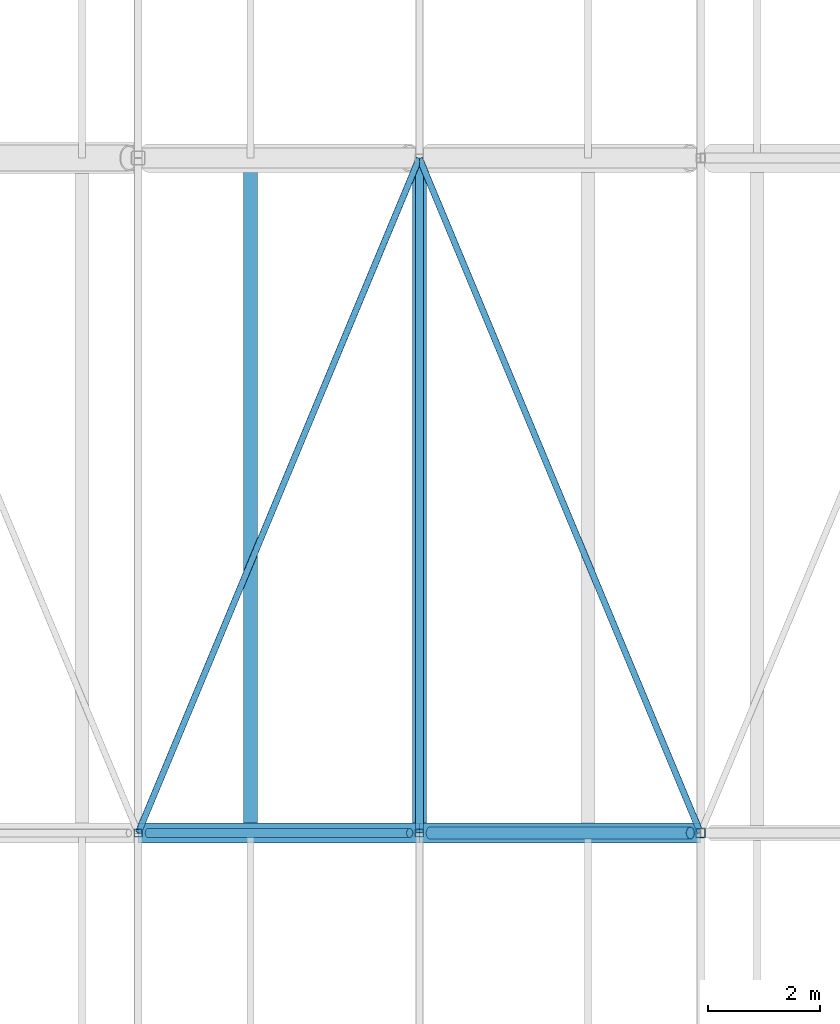
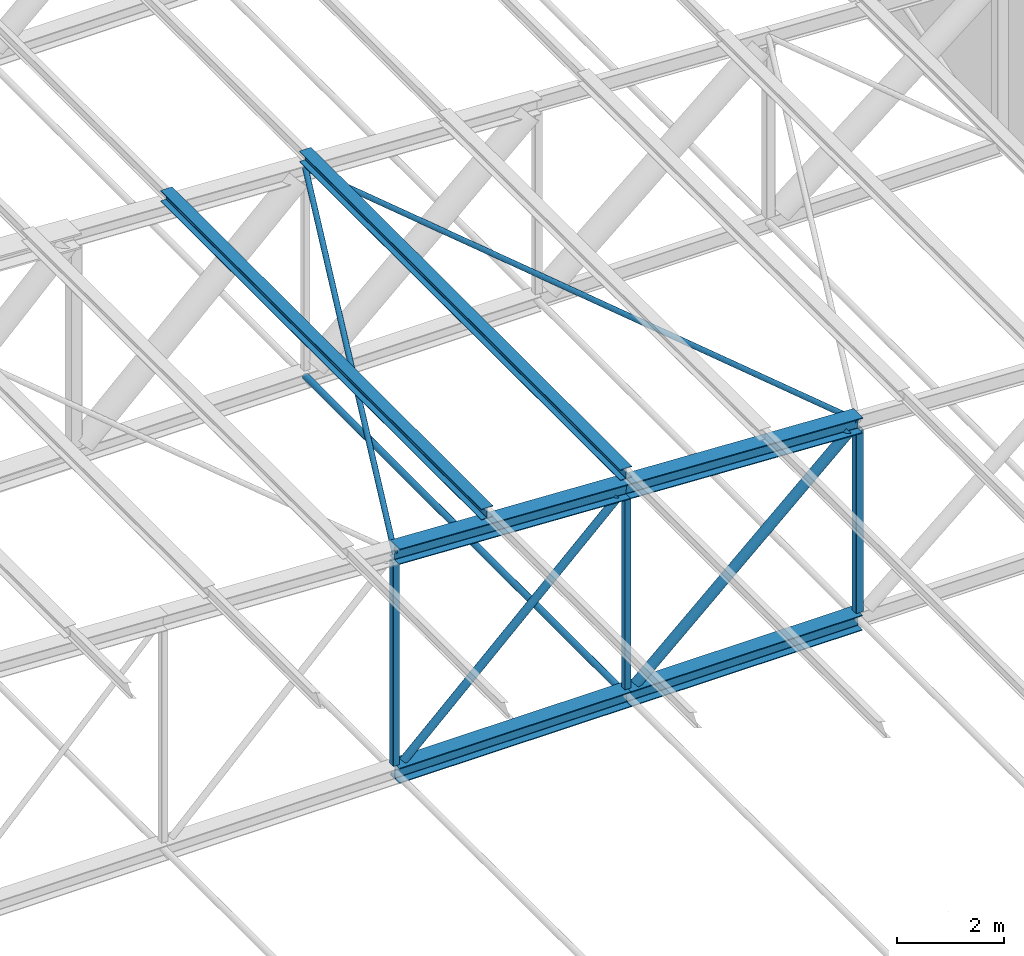
# One storey, part 82 of 156: 14 members.
"""IFC4 building model written with IfcOpenShell, lengths in metres."""

from ifc_helpers import new_model, si_unit, direction, frame, origin, origin_2d, place, context, subcontext, project, spatial, hollow_rectangle, hollow_circle, i_section, extrude, material, material_profile, profile_set, type_object, element, save


model = new_model("IFC4")

# Units and contexts
model_context = context("Model", 3, precision=1e-05, world=origin(), true_north=direction((0.0, 1.0)))
body_context = subcontext(model_context, "Body", "Model", "MODEL_VIEW")
ifc_project = project(units=[si_unit("LENGTHUNIT", "METRE"), si_unit("AREAUNIT", "SQUARE_METRE"), si_unit("VOLUMEUNIT", "CUBIC_METRE"), si_unit("PLANEANGLEUNIT", "RADIAN"), si_unit("MASSUNIT", "GRAM", prefix="KILO")], contexts=[model_context])

# Site, building, storey
site_placement = place(None, origin())
site = spatial("IfcSite", under=ifc_project, at=site_placement, CompositionType="ELEMENT")
building_placement = place(site_placement, origin())
building = spatial("IfcBuilding", under=site, at=building_placement, Name="Lilac Gate Convention Centre", CompositionType="ELEMENT")
storey_placement = place(building_placement, frame((0.0, 0.0, 17.0)))
storey = spatial("IfcBuildingStorey", under=building, at=storey_placement, Name="L03", CompositionType="ELEMENT", Elevation=17.0)

# Members
ifc_material = material(Name="Steel Q355B", Category="steel")
ifc_material_profile_1 = material_profile(ifc_material, hollow_circle(Radius=0.06982421875, WallThickness=0.0048828125, at=origin_2d()), Name="CHS139.7x5")
ifc_profile_set_1 = profile_set([ifc_material_profile_1], Name="Steel Q355B")
member_type_1 = type_object("IfcMemberType", Name="Bottom chord tie CHS139.7x5", PredefinedType="STRUT", material=ifc_profile_set_1)
member_1_placement = place(storey_placement, frame((75.0, 126.006103515625, 0.0), z_axis=(0.0, 1.0, 0.0), x_axis=(-1.0, 0.0, 0.0)))
element("IfcMember", 1, at=member_1_placement, inside=storey, type_object=member_type_1, Name="ST1 tie bay 9 node 10", PredefinedType="STRUT", context=body_context, shape_type="SweptSolid", body=[
    extrude(hollow_circle(Radius=0.06982421875, WallThickness=0.0048828125, at=origin_2d()), origin(), (0.0, 0.0, 1.0), 11.98779296875),
])
ifc_material_profile_2 = material_profile(ifc_material, hollow_circle(Radius=0.05712890625, WallThickness=0.0048828125, at=origin_2d()), Name="CHS114.3x5")
ifc_profile_set_2 = profile_set([ifc_material_profile_2], Name="Steel Q355B")
member_type_2 = type_object("IfcMemberType", Name="Roof plane bracing CHS114.3x5", PredefinedType="BRACE", material=ifc_profile_set_2)
for number, where, z_axis, x_axis, name in (
    (2, (70.00244140625, 126.006103515625, 5.0), (0.384557486582, 0.922900376645, -0.019246669905), (-0.923071361129, 0.384628733019, 0.0), "BR1 plan bracing bay 9 panel 9"),
    (3, (75.00244140625, 137.993896484375, 4.75), (0.384557486582, -0.922900376645, -0.019246669905), (0.923071361129, 0.384628733019, 0.0), "BR1 plan bracing bay 9 panel 10"),
):
    element("IfcMember", number, at=place(storey_placement, frame(where, z_axis=z_axis, x_axis=x_axis)), inside=storey, type_object=member_type_2, Name=name, PredefinedType="BRACE", context=body_context, shape_type="SweptSolid", body=[
        extrude(hollow_circle(Radius=0.05712890625, WallThickness=0.0048828125, at=origin_2d()), origin(), (0.0, 0.0, 1.0), 12.9892578125),
    ])
ifc_material_profile_3 = material_profile(ifc_material, i_section(OverallWidth=0.25, OverallDepth=0.25, WebThickness=0.009033203125, FlangeThickness=0.013916015625, FilletRadius=0.012939453125, at=origin_2d()), Name="HW250x250x9x14")
ifc_profile_set_3 = profile_set([ifc_material_profile_3], Name="Steel Q355B")
member_type_3 = type_object("IfcMemberType", Name="Roof purlin HW250x250x9x14", PredefinedType="PURLIN", material=ifc_profile_set_3)
for number, where, z_axis, x_axis, name in (
    (4, (72.0, 126.0, 5.2001953125), (0.0, 1.0, 0.0), (-1.0, 0.0, 0.0), "PU1 purlin bay 9 line 15"),
    (5, (75.0, 126.0, 5.05029296875), (0.0, 1.0, 0.0), (-1.0, 0.0, 0.0), "PU1 purlin bay 9 line 16"),
):
    element("IfcMember", number, at=place(storey_placement, frame(where, z_axis=z_axis, x_axis=x_axis)), inside=storey, type_object=member_type_3, Name=name, PredefinedType="PURLIN", context=body_context, shape_type="SweptSolid", body=[
        extrude(i_section(OverallWidth=0.25, OverallDepth=0.25, WebThickness=0.009033203125, FlangeThickness=0.013916015625, FilletRadius=0.012939453125, at=origin_2d()), origin(), (0.0, 0.0, 1.0), 12.0),
    ])
ifc_material_profile_4 = material_profile(ifc_material, i_section(OverallWidth=0.35009765625, OverallDepth=0.35009765625, WebThickness=0.011962890625, FlangeThickness=0.01904296875, FilletRadius=0.012939453125, at=origin_2d()), Name="HW350x350x12x19")
ifc_profile_set_4 = profile_set([ifc_material_profile_4], Name="Steel Q355B")
member_type_4 = type_object("IfcMemberType", Name="Truss bottom chord HW350x350x12x19", PredefinedType="CHORD", material=ifc_profile_set_4)
for number, where, z_axis, x_axis, name in (
    (6, (70.0, 126.0, 0.0), (1.0, 0.0, 0.0), (0.0, 1.0, 0.0), "TB2 truss 9 bottom chord 9"),
    (7, (75.0, 126.0, 0.0), (1.0, 0.0, 0.0), (0.0, 1.0, 0.0), "TB2 truss 9 bottom chord 10"),
):
    element("IfcMember", number, at=place(storey_placement, frame(where, z_axis=z_axis, x_axis=x_axis)), inside=storey, type_object=member_type_4, Name=name, PredefinedType="CHORD", context=body_context, shape_type="SweptSolid", body=[
        extrude(i_section(OverallWidth=0.35009765625, OverallDepth=0.35009765625, WebThickness=0.011962890625, FlangeThickness=0.01904296875, FilletRadius=0.012939453125, at=origin_2d()), origin(), (0.0, 0.0, 1.0), 5.0),
    ])
ifc_material_profile_5 = material_profile(ifc_material, hollow_circle(Radius=0.084228515625, WallThickness=0.006103515625, at=origin_2d()), Name="CHS168.3x6")
ifc_profile_set_5 = profile_set([ifc_material_profile_5], Name="Steel Q355B")
member_type_5 = type_object("IfcMemberType", Name="Truss diagonal CHS168.3x6", PredefinedType="BRACE", material=ifc_profile_set_5)
member_2_placement = place(storey_placement, frame((74.8271484375, 126.0, 4.585693359375), z_axis=(-0.725020373275, 0.0, -0.688727419475), x_axis=(0.0, -1.0, 0.0)))
element("IfcMember", 8, at=member_2_placement, inside=storey, type_object=member_type_5, Name="TW4 truss 9 diagonal 9", PredefinedType="BRACE", context=body_context, shape_type="SweptSolid", body=[
    extrude(hollow_circle(Radius=0.084228515625, WallThickness=0.006103515625, at=origin_2d()), origin(), (0.0, 0.0, 1.0), 6.404052734375),
])
ifc_material_profile_6 = material_profile(ifc_material, hollow_circle(Radius=0.109619140625, WallThickness=0.008056640625, at=origin_2d()), Name="CHS219.1x8")
ifc_profile_set_6 = profile_set([ifc_material_profile_6], Name="Steel Q355B")
member_type_6 = type_object("IfcMemberType", Name="Truss diagonal CHS219.1x8", PredefinedType="BRACE", material=ifc_profile_set_6)
member_3_placement = place(storey_placement, frame((79.8173828125, 126.0, 4.335693359375), z_axis=(-0.743301953498, 0.0, -0.668956056797), x_axis=(0.0, -1.0, 0.0)))
element("IfcMember", 9, at=member_3_placement, inside=storey, type_object=member_type_6, Name="TW3 truss 9 diagonal 10", PredefinedType="BRACE", context=body_context, shape_type="SweptSolid", body=[
    extrude(hollow_circle(Radius=0.109619140625, WallThickness=0.008056640625, at=origin_2d()), origin(), (0.0, 0.0, 1.0), 6.2197265625),
])
ifc_material_profile_7 = material_profile(ifc_material, i_section(OverallWidth=0.35009765625, OverallDepth=0.35009765625, WebThickness=0.011962890625, FlangeThickness=0.01904296875, FilletRadius=0.012939453125, at=origin_2d()), Name="HW350x350x12x19")
ifc_profile_set_7 = profile_set([ifc_material_profile_7], Name="Steel Q355B")
member_type_7 = type_object("IfcMemberType", Name="Truss top chord HW350x350x12x19", PredefinedType="CHORD", material=ifc_profile_set_7)
for number, where, z_axis, x_axis, name in (
    (10, (70.0, 126.0, 5.0), (0.998752338878, 0.0, -0.049937616944), (0.0, 1.0, 0.0), "TT2 truss 9 top chord 9"),
    (11, (75.0, 126.0, 4.75), (0.998752338878, 0.0, -0.049937616944), (0.0, 1.0, 0.0), "TT2 truss 9 top chord 10"),
):
    element("IfcMember", number, at=place(storey_placement, frame(where, z_axis=z_axis, x_axis=x_axis)), inside=storey, type_object=member_type_7, Name=name, PredefinedType="CHORD", context=body_context, shape_type="SweptSolid", body=[
        extrude(i_section(OverallWidth=0.35009765625, OverallDepth=0.35009765625, WebThickness=0.011962890625, FlangeThickness=0.01904296875, FilletRadius=0.012939453125, at=origin_2d()), origin(), (0.0, 0.0, 1.0), 5.00634765625),
    ])
ifc_material_profile_8 = material_profile(ifc_material, hollow_rectangle(XDim=0.139892578125, YDim=0.139892578125, WallThickness=0.0048828125, InnerFilletRadius=0.0048828125, OuterFilletRadius=0.010009765625, at=origin_2d()), Name="SHS140x140x5")
ifc_profile_set_8 = profile_set([ifc_material_profile_8], Name="Steel Q355B")
member_type_8 = type_object("IfcMemberType", Name="Truss vertical SHS140x140x5", PredefinedType="STRUT", material=ifc_profile_set_8)
member_4_placement = place(storey_placement, frame((70.0, 126.0, 0.175048828125), z_axis=(0.0, 0.0, 1.0), x_axis=(1.0, 0.0, 0.0)))
element("IfcMember", 12, at=member_4_placement, inside=storey, type_object=member_type_8, Name="TV4 truss 9 vertical 9", PredefinedType="STRUT", context=body_context, shape_type="SweptSolid", body=[
    extrude(hollow_rectangle(XDim=0.139892578125, YDim=0.139892578125, WallThickness=0.0048828125, InnerFilletRadius=0.0048828125, OuterFilletRadius=0.010009765625, at=origin_2d()), origin(), (0.0, 0.0, 1.0), 4.649658203125),
])
member_5_placement = place(storey_placement, frame((75.0, 126.0, 0.175048828125), z_axis=(0.0, 0.0, 1.0), x_axis=(1.0, 0.0, 0.0)))
element("IfcMember", 13, at=member_5_placement, inside=storey, type_object=member_type_8, Name="TV4 truss 9 vertical 10", PredefinedType="STRUT", context=body_context, shape_type="SweptSolid", body=[
    extrude(hollow_rectangle(XDim=0.139892578125, YDim=0.139892578125, WallThickness=0.0048828125, InnerFilletRadius=0.0048828125, OuterFilletRadius=0.010009765625, at=origin_2d()), origin(), (0.0, 0.0, 1.0), 4.399658203125),
])
ifc_material_profile_9 = material_profile(ifc_material, hollow_rectangle(XDim=0.159912109375, YDim=0.159912109375, WallThickness=0.006103515625, InnerFilletRadius=0.006103515625, OuterFilletRadius=0.011962890625, at=origin_2d()), Name="SHS160x160x6")
ifc_profile_set_9 = profile_set([ifc_material_profile_9], Name="Steel Q355B")
member_type_9 = type_object("IfcMemberType", Name="Truss vertical SHS160x160x6", PredefinedType="STRUT", material=ifc_profile_set_9)
member_6_placement = place(storey_placement, frame((80.0, 126.0, 0.175048828125), z_axis=(0.0, 0.0, 1.0), x_axis=(1.0, 0.0, 0.0)))
element("IfcMember", 14, at=member_6_placement, inside=storey, type_object=member_type_9, Name="TV3 truss 9 vertical 11", PredefinedType="STRUT", context=body_context, shape_type="SweptSolid", body=[
    extrude(hollow_rectangle(XDim=0.159912109375, YDim=0.159912109375, WallThickness=0.006103515625, InnerFilletRadius=0.006103515625, OuterFilletRadius=0.011962890625, at=origin_2d()), origin(), (0.0, 0.0, 1.0), 4.149658203125),
])

save(model, "model.ifc")
